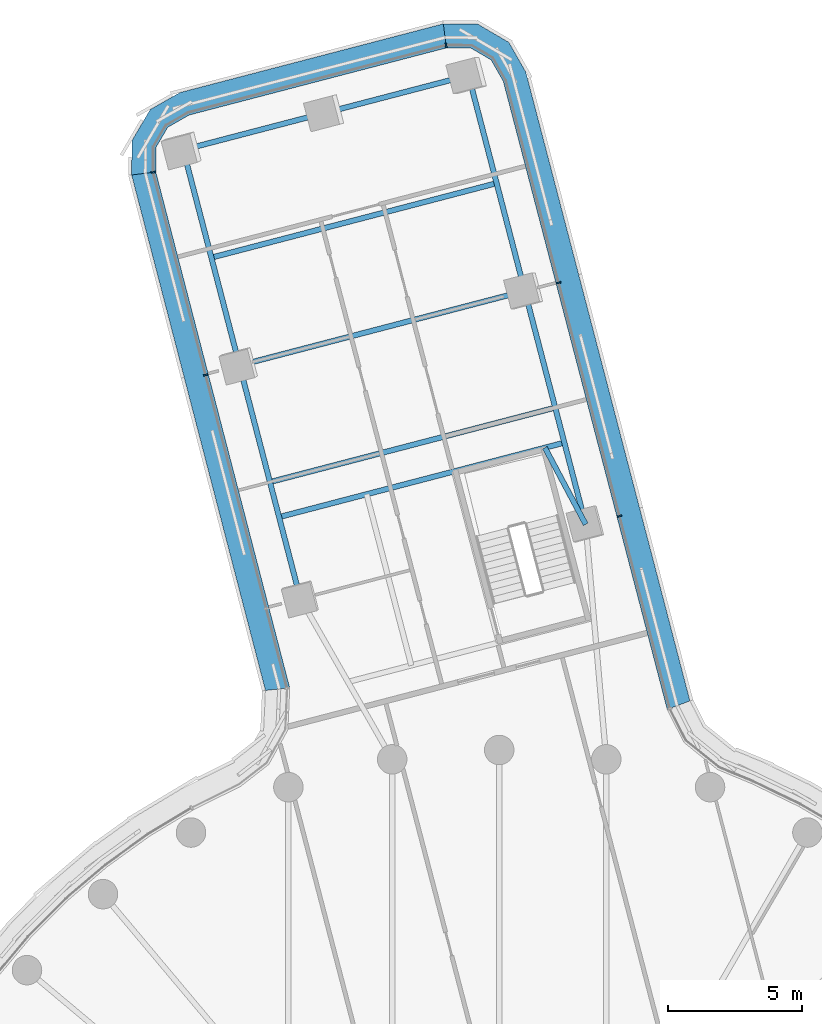
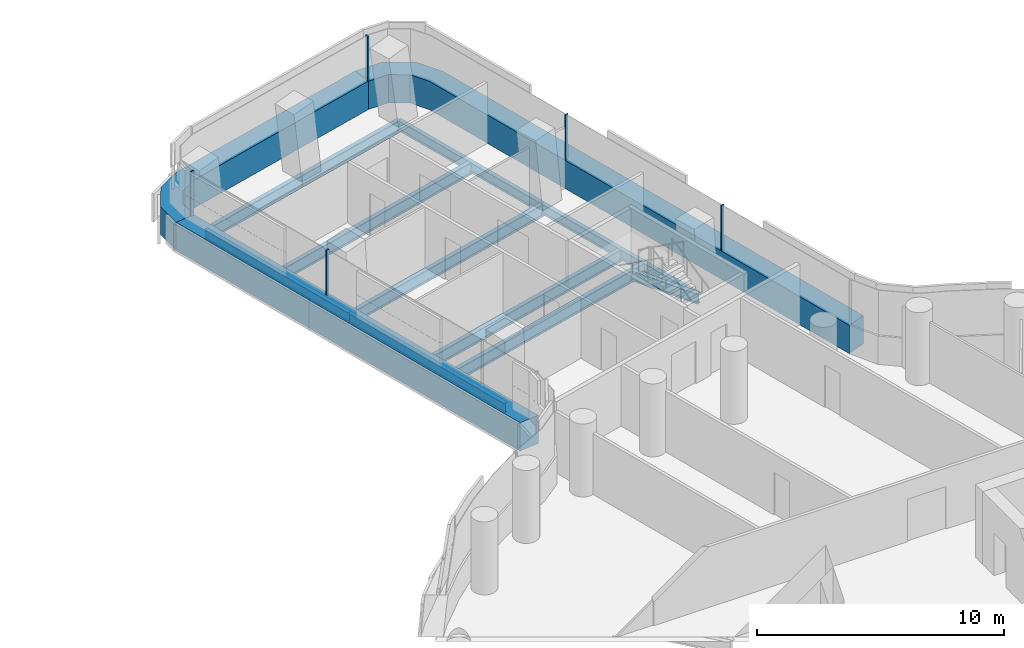
# One storey, part 15 of 30: 11 beams, 8 members, 3 elements without a shape of their own.
"""IFC4 building model written with IfcOpenShell, lengths in metres."""

from ifc_helpers import new_model, si_unit, direction, frame, origin, origin_2d, place, context, subcontext, project, spatial, polyline, rectangle, i_section, outline, extrude, material, layer, layer_set, material_profile, profile_set, type_object, element, aggregate, save


model = new_model("IFC4")

# Units and contexts
model_context = context("Model", 3, precision=1e-05, world=origin(), true_north=direction((0.0, 1.0)))
body_context = subcontext(model_context, "Body", "Model", "MODEL_VIEW")
ifc_project = project(units=[si_unit("LENGTHUNIT", "METRE"), si_unit("AREAUNIT", "SQUARE_METRE"), si_unit("VOLUMEUNIT", "CUBIC_METRE"), si_unit("PLANEANGLEUNIT", "RADIAN"), si_unit("MASSUNIT", "GRAM", prefix="KILO")], contexts=[model_context])

# Site, building, storey
site_placement = place(None, origin())
site = spatial("IfcSite", under=ifc_project, at=site_placement, CompositionType="ELEMENT")
building_placement = place(site_placement, origin())
building = spatial("IfcBuilding", under=site, at=building_placement, Name="Tamarind Cross Interchange Tower", CompositionType="ELEMENT")
storey_placement = place(building_placement, frame((0.0, 0.0, 87.25)))
storey = spatial("IfcBuildingStorey", under=building, at=storey_placement, Name="L20", CompositionType="ELEMENT", Elevation=87.25)

# Beams
ifc_material_1 = material(Name="Steel Q355B", Category="steel")
ifc_material_profile_1 = material_profile(ifc_material_1, i_section(OverallWidth=0.198974609375, OverallDepth=0.49609375, WebThickness=0.009033203125, FlangeThickness=0.013916015625, FilletRadius=0.012939453125, at=origin_2d()), Name="HN 496x199x9x14")
ifc_profile_set_1 = profile_set([ifc_material_profile_1], Name="Steel Q355B")
beam_type_1 = type_object("IfcBeamType", Name="Composite beam HN 496x199x9x14 Q355B", PredefinedType="BEAM", material=ifc_profile_set_1)
beam_1_placement = place(storey_placement, frame((-1.145751953125, 48.169677734375, -0.387939453125), z_axis=(0.252517563443, -0.967592310921, 0.0), x_axis=(0.967592310921, 0.252517563443, 0.0)))
element("IfcBeam", 1, at=beam_1_placement, inside=storey, type_object=beam_type_1, Name="Beam N-edgeem5", PredefinedType="BEAM", context=body_context, shape_type="SweptSolid", body=[
    extrude(i_section(OverallWidth=0.198974609375, OverallDepth=0.49609375, WebThickness=0.009033203125, FlangeThickness=0.013916015625, FilletRadius=0.012939453125, at=origin_2d()), origin(), (0.0, 0.0, 1.0), 8.310791015625),
])
beam_2_placement = place(storey_placement, frame((0.952880859375, 40.128173828125, -0.387939453125), z_axis=(0.252549990783, -0.96758384761, 0.0), x_axis=(0.96758384761, 0.252549990783, 0.0)))
element("IfcBeam", 2, at=beam_2_placement, inside=storey, type_object=beam_type_1, Name="Beam N-edgeem6", PredefinedType="BEAM", context=body_context, shape_type="SweptSolid", body=[
    extrude(i_section(OverallWidth=0.198974609375, OverallDepth=0.49609375, WebThickness=0.009033203125, FlangeThickness=0.013916015625, FilletRadius=0.012939453125, at=origin_2d()), origin(), (0.0, 0.0, 1.0), 9.0),
])
beam_3_placement = place(storey_placement, frame((-11.789306640625, 45.391845703125, -0.387939453125), z_axis=(0.252545066132, -0.967585132984, 0.0), x_axis=(0.967585132984, 0.252545066132, 0.0)))
element("IfcBeam", 3, at=beam_3_placement, inside=storey, type_object=beam_type_1, Name="Beam N-edgeep2", PredefinedType="BEAM", context=body_context, shape_type="SweptSolid", body=[
    extrude(i_section(OverallWidth=0.198974609375, OverallDepth=0.49609375, WebThickness=0.009033203125, FlangeThickness=0.013916015625, FilletRadius=0.012939453125, at=origin_2d()), origin(), (0.0, 0.0, 1.0), 8.310791015625),
])
beam_4_placement = place(storey_placement, frame((-9.6904296875, 37.350341796875, -0.387939453125), z_axis=(0.252524593962, -0.967590476102, 0.0), x_axis=(0.967590476102, 0.252524593962, 0.0)))
element("IfcBeam", 4, at=beam_4_placement, inside=storey, type_object=beam_type_1, Name="Beam N-edgeep3", PredefinedType="BEAM", context=body_context, shape_type="SweptSolid", body=[
    extrude(i_section(OverallWidth=0.198974609375, OverallDepth=0.49609375, WebThickness=0.009033203125, FlangeThickness=0.013916015625, FilletRadius=0.012939453125, at=origin_2d()), origin(), (0.0, 0.0, 1.0), 9.0),
])
beam_5_placement = place(storey_placement, frame((3.225830078125, 31.419921875, -0.387939453125), z_axis=(-0.469809279993, 0.882767942572, 0.0), x_axis=(-0.882767942572, -0.469809279993, 0.0)))
element("IfcBeam", 5, at=beam_5_placement, inside=storey, type_object=beam_type_1, Name="Beam N-tr0", PredefinedType="BEAM", context=body_context, shape_type="SweptSolid", body=[
    extrude(i_section(OverallWidth=0.198974609375, OverallDepth=0.49609375, WebThickness=0.009033203125, FlangeThickness=0.013916015625, FilletRadius=0.012939453125, at=origin_2d()), origin(), (0.0, 0.0, 1.0), 3.238037109375),
])
ifc_material_profile_2 = material_profile(ifc_material_1, i_section(OverallWidth=0.199951171875, OverallDepth=0.60009765625, WebThickness=0.010986328125, FlangeThickness=0.01708984375, FilletRadius=0.012939453125, at=origin_2d()), Name="HN 600x200x11x17")
ifc_profile_set_2 = profile_set([ifc_material_profile_2], Name="Steel Q355B")
beam_type_2 = type_object("IfcBeamType", Name="Composite beam HN 600x200x11x17 Q355B", PredefinedType="BEAM", material=ifc_profile_set_2)
for number, where, z_axis, x_axis, name in (
    (6, (-1.145751953125, 48.169677734375, -0.43994140625), (-0.967589454711, -0.252528507563, 0.0), (0.252528507563, -0.967589454711, 0.0), "Beam N-tip0"),
    (7, (-6.467529296875, 46.78076171875, -0.43994140625), (-0.967589454711, -0.252528507563, 0.0), (0.252528507563, -0.967589454711, 0.0), "Beam N-tip1"),
):
    element("IfcBeam", number, at=place(storey_placement, frame(where, z_axis=z_axis, x_axis=x_axis)), inside=storey, type_object=beam_type_2, Name=name, PredefinedType="BEAM", context=body_context, shape_type="SweptSolid", body=[
        extrude(i_section(OverallWidth=0.199951171875, OverallDepth=0.60009765625, WebThickness=0.010986328125, FlangeThickness=0.01708984375, FilletRadius=0.012939453125, at=origin_2d()), origin(), (0.0, 0.0, 1.0), 5.5),
    ])
for number, where, z_axis, x_axis, name in (
    (8, (2.43017578125, 34.4677734375, -0.43994140625), (-0.967588039311, -0.252533930755, 0.0), (0.252533930755, -0.967588039311, 0.0), "Beam N-x334"),
    (9, (0.952880859375, 40.128173828125, -0.43994140625), (-0.967588039311, -0.252533930755, 0.0), (0.252533930755, -0.967588039311, 0.0), "Beam N-x393"),
):
    element("IfcBeam", number, at=place(storey_placement, frame(where, z_axis=z_axis, x_axis=x_axis)), inside=storey, type_object=beam_type_2, Name=name, PredefinedType="BEAM", context=body_context, shape_type="SweptSolid", body=[
        extrude(i_section(OverallWidth=0.199951171875, OverallDepth=0.60009765625, WebThickness=0.010986328125, FlangeThickness=0.01708984375, FilletRadius=0.012939453125, at=origin_2d()), origin(), (0.0, 0.0, 1.0), 10.999755859375),
    ])
beam_6_placement = place(storey_placement, frame((2.08935546875, 35.774169921875, -0.43994140625), z_axis=(-0.967589454711, -0.252528507563, 0.0), x_axis=(0.252528507563, -0.967589454711, 0.0)))
element("IfcBeam", 10, at=beam_6_placement, inside=storey, type_object=beam_type_2, Name="Beam N-x348", PredefinedType="BEAM", context=body_context, shape_type="SweptSolid", body=[
    extrude(i_section(OverallWidth=0.199951171875, OverallDepth=0.60009765625, WebThickness=0.010986328125, FlangeThickness=0.01708984375, FilletRadius=0.012939453125, at=origin_2d()), origin(), (0.0, 0.0, 1.0), 11.0),
])
beam_7_placement = place(storey_placement, frame((-0.096435546875, 44.14892578125, -0.43994140625), z_axis=(-0.967588039311, -0.252533930755, 0.0), x_axis=(0.252533930755, -0.967588039311, 0.0)))
element("IfcBeam", 11, at=beam_7_placement, inside=storey, type_object=beam_type_2, Name="Beam N-x435", PredefinedType="BEAM", context=body_context, shape_type="SweptSolid", body=[
    extrude(i_section(OverallWidth=0.199951171875, OverallDepth=0.60009765625, WebThickness=0.010986328125, FlangeThickness=0.01708984375, FilletRadius=0.012939453125, at=origin_2d()), origin(), (0.0, 0.0, 1.0), 10.999755859375),
])

# Curtain wall, member
ifc_material_2 = material(Name="Aluminium 6063-T6", Category="aluminium")
ifc_layer = layer(ifc_material_2, 0.159912109375)
ifc_layer_set = layer_set([ifc_layer], Name="Aluminium 6063-T6")
curtain_wall_type = type_object("IfcCurtainWallType", Name="Office curtain wall, 9.0 m bays", PredefinedType="NOTDEFINED", material=ifc_layer_set)
curtain_wall_1_placement = place(storey_placement, origin())
curtain_wall_1 = element("IfcCurtainWall", 12, at=curtain_wall_1_placement, inside=storey, type_object=curtain_wall_type, Name="CWS-L20-00", PredefinedType="NOTDEFINED")
ifc_material_3 = material(Name="Aluminium and insulated spandrel panel", Category="aluminium")
member_type_1 = type_object("IfcMemberType", Name="Floor-edge blade transom", PredefinedType="USERDEFINED", material=ifc_material_3)
member_1_placement = place(storey_placement, origin())
member_1 = element("IfcMember", 13, at=member_1_placement, type_object=member_type_1, Name="CWT-L20-00", ObjectType="TRANSOM", PredefinedType="USERDEFINED", context=body_context, shape_type="SweptSolid", body=[
    extrude(outline(polyline([(-1.970703125, 49.194580078125), (-11.5703125, 46.689208984375), (-12.365966796875, 46.23681640625), (-12.80810546875, 45.482177734375), (-12.814208984375, 44.566650390625), (-13.71484375, 44.45458984375), (-13.70654296875, 45.729248046875), (-13.0205078125, 46.89990234375), (-11.912109375, 47.5302734375), (-2.08349609375, 50.095458984375), (-1.970703125, 49.194580078125)])), origin(), (0.0, 0.0, 1.0), 1.39990234375),
])

curtain_wall_2_placement = place(storey_placement, origin())
curtain_wall_2 = element("IfcCurtainWall", 14, at=curtain_wall_2_placement, inside=storey, type_object=curtain_wall_type, Name="CWS-L20-01", PredefinedType="NOTDEFINED")
member_2_placement = place(storey_placement, origin())
member_2 = element("IfcMember", 15, at=member_2_placement, type_object=member_type_1, Name="CWT-L20-01", ObjectType="TRANSOM", PredefinedType="USERDEFINED", context=body_context, shape_type="SweptSolid", body=[
    extrude(outline(polyline([(-12.814208984375, 44.566650390625), (-7.81689453125, 25.316650390625), (-8.721923828125, 25.220703125), (-13.71484375, 44.45458984375), (-12.814208984375, 44.566650390625)])), origin(), (0.0, 0.0, 1.0), 1.39990234375),
])

curtain_wall_3_placement = place(storey_placement, origin())
curtain_wall_3 = element("IfcCurtainWall", 16, at=curtain_wall_3_placement, inside=storey, type_object=curtain_wall_type, Name="CWS-L20-15", PredefinedType="NOTDEFINED")
member_3_placement = place(storey_placement, origin())
member_3 = element("IfcMember", 17, at=member_3_placement, type_object=member_type_1, Name="CWT-L20-15", ObjectType="TRANSOM", PredefinedType="USERDEFINED", context=body_context, shape_type="SweptSolid", body=[
    extrude(outline(polyline([(6.26953125, 24.509521484375), (0.151611328125, 47.95068359375), (-0.301025390625, 48.74658203125), (-1.055419921875, 49.188720703125), (-1.970703125, 49.194580078125), (-2.08349609375, 50.095458984375), (-0.808349609375, 50.087158203125), (0.362060546875, 49.401123046875), (0.992431640625, 48.292724609375), (7.11572265625, 24.83056640625), (6.26953125, 24.509521484375)])), origin(), (0.0, 0.0, 1.0), 1.39990234375),
])

# Member
ifc_material_profile_3 = material_profile(ifc_material_2, rectangle(XDim=0.06005859375, YDim=0.159912109375, at=origin_2d()), Name="Mullion CW1")
ifc_profile_set_3 = profile_set([ifc_material_profile_3], Name="Aluminium 6063-T6")
member_type_2 = type_object("IfcMemberType", Name="Mullion CW1", PredefinedType="MULLION", material=ifc_profile_set_3)
member_4_placement = place(storey_placement, frame((-1.9833984375, 49.294677734375, 1.39990234375), z_axis=(0.0, 0.0, 1.0), x_axis=(-0.992273148793, -0.124072552096, 0.0)))
member_4 = element("IfcMember", 18, at=member_4_placement, type_object=member_type_2, Name="CWM-L20-00-00", PredefinedType="MULLION", context=body_context, shape_type="SweptSolid", body=[
    extrude(rectangle(XDim=0.06005859375, YDim=0.159912109375, at=origin_2d()), origin(), (0.0, 0.0, 1.0), 2.210205078125),
])

aggregate(curtain_wall_1, [member_4, member_1])

member_5_placement = place(storey_placement, frame((-12.914306640625, 44.55419921875, 1.39990234375), z_axis=(0.0, 0.0, 1.0), x_axis=(0.123425681404, -0.99235381854, 0.0)))
member_5 = element("IfcMember", 19, at=member_5_placement, type_object=member_type_2, Name="CWM-L20-01-00", PredefinedType="MULLION", context=body_context, shape_type="SweptSolid", body=[
    extrude(rectangle(XDim=0.06005859375, YDim=0.159912109375, at=origin_2d()), origin(), (0.0, 0.0, 1.0), 2.210205078125),
])

member_6_placement = place(storey_placement, frame((-10.951171875, 36.992431640625, 1.39990234375), z_axis=(0.0, 0.0, 1.0), x_axis=(0.251267008723, -0.967917811763, 0.0)))
member_6 = element("IfcMember", 20, at=member_6_placement, type_object=member_type_2, Name="CWM-L20-01-01", PredefinedType="MULLION", context=body_context, shape_type="SweptSolid", body=[
    extrude(rectangle(XDim=0.06005859375, YDim=0.159912109375, at=origin_2d()), origin(), (0.0, 0.0, 1.0), 2.210205078125),
])

aggregate(curtain_wall_2, [member_5, member_6, member_2])

member_7_placement = place(storey_placement, frame((4.489501953125, 31.72607421875, 1.39990234375), z_axis=(0.0, 0.0, 1.0), x_axis=(-0.252528729967, 0.967589396666, 0.0)))
member_7 = element("IfcMember", 21, at=member_7_placement, type_object=member_type_2, Name="CWM-L20-15-01", PredefinedType="MULLION", context=body_context, shape_type="SweptSolid", body=[
    extrude(rectangle(XDim=0.06005859375, YDim=0.159912109375, at=origin_2d()), origin(), (0.0, 0.0, 1.0), 2.210205078125),
])

member_8_placement = place(storey_placement, frame((2.217041015625, 40.4326171875, 1.39990234375), z_axis=(0.0, 0.0, 1.0), x_axis=(-0.252528729967, 0.967589396666, 0.0)))
member_8 = element("IfcMember", 22, at=member_8_placement, type_object=member_type_2, Name="CWM-L20-15-02", PredefinedType="MULLION", context=body_context, shape_type="SweptSolid", body=[
    extrude(rectangle(XDim=0.06005859375, YDim=0.159912109375, at=origin_2d()), origin(), (0.0, 0.0, 1.0), 2.210205078125),
])

aggregate(curtain_wall_3, [member_7, member_8, member_3])

save(model, "model.ifc")
